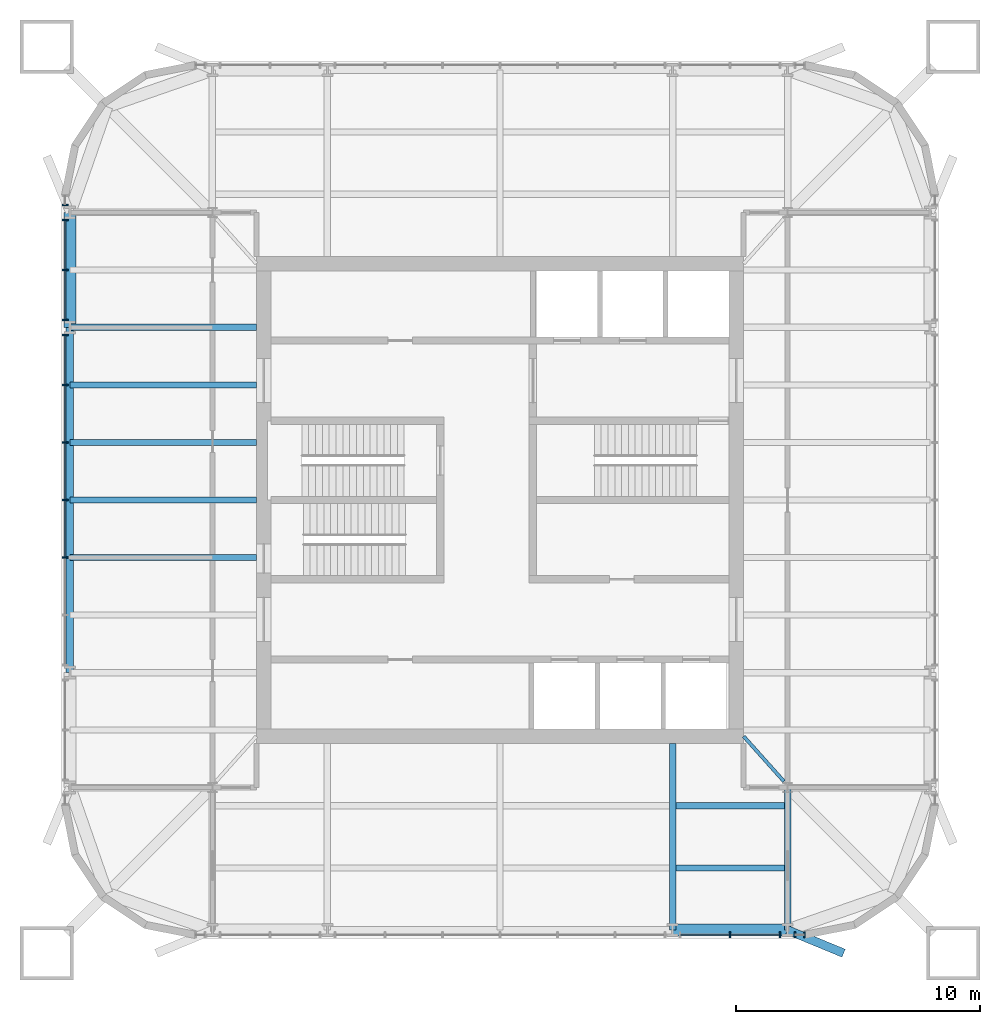
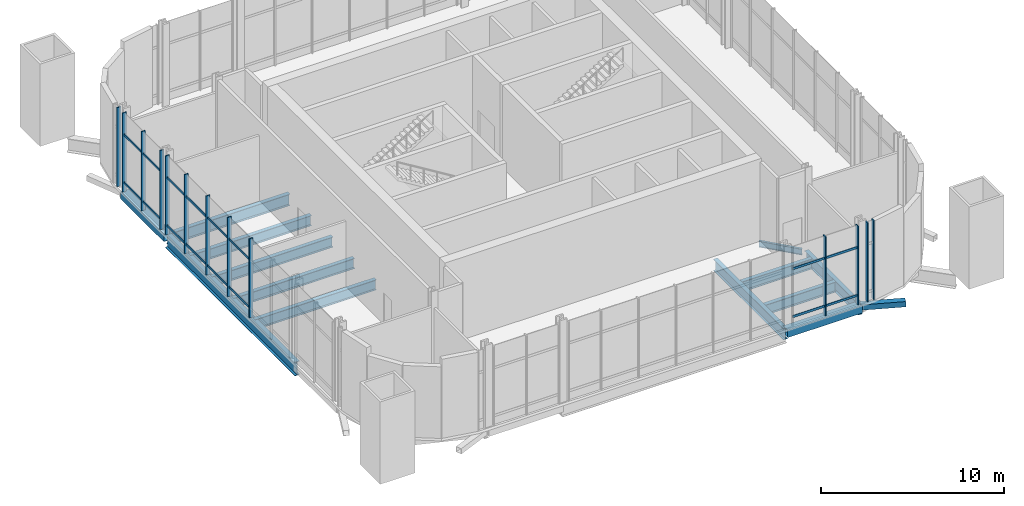
# One storey, part 3 of 17: 29 members, 14 beams, 5 elements without a shape of their own.
"""IFC4 building model written with IfcOpenShell, lengths in metres."""

from ifc_helpers import new_model, si_unit, direction, frame, origin, origin_2d, place, context, subcontext, project, spatial, rectangle, hollow_rectangle, i_section, extrude, material, material_profile, profile_set, type_object, element, aggregate, save


model = new_model("IFC4")

# Units and contexts
model_context = context("Model", 3, precision=1e-05, world=origin(), true_north=direction((0.0, 1.0)))
body_context = subcontext(model_context, "Body", "Model", "MODEL_VIEW")
ifc_project = project(units=[si_unit("LENGTHUNIT", "METRE"), si_unit("AREAUNIT", "SQUARE_METRE"), si_unit("VOLUMEUNIT", "CUBIC_METRE"), si_unit("PLANEANGLEUNIT", "RADIAN"), si_unit("MASSUNIT", "GRAM", prefix="KILO")], contexts=[model_context])

# Site, building, storey
site_placement = place(None, origin())
site = spatial("IfcSite", under=ifc_project, at=site_placement, CompositionType="ELEMENT")
building_placement = place(site_placement, origin())
building = spatial("IfcBuilding", under=site, at=building_placement, Name="Turquesa Mirador Hotel Tower", CompositionType="ELEMENT")
storey_placement = place(building_placement, frame((0.0, 0.0, 266.699951171875)))
storey = spatial("IfcBuildingStorey", under=building, at=storey_placement, Name="L72", CompositionType="ELEMENT", Elevation=266.699951171875)

# Beams
ifc_material_1 = material(Name="Steel ASTM A572 Grade 50", Category="steel")
ifc_material_profile_1 = material_profile(ifc_material_1, hollow_rectangle(XDim=0.5, YDim=0.5, WallThickness=0.01611328125, at=origin_2d()), Name="BOX500X500X16")
ifc_profile_set_1 = profile_set([ifc_material_profile_1], Name="Steel ASTM A572 Grade 50")
beam_type_1 = type_object("IfcBeamType", Name="BEAM BOX500X500X16", PredefinedType="BEAM", material=ifc_profile_set_1)
for number, where, z_axis, x_axis, name in (
    (1, (62.080078125, 27.35009765625, -0.419921875), (1.0, 0.0, 0.0), (0.0, 1.0, 0.0), "EB-L72-S-R"),
    (2, (37.35009765625, 52.080078125, -0.419921875), (0.0, 1.0, 0.0), (-1.0, 0.0, 0.0), "EB-L72-W-R"),
):
    element("IfcBeam", number, at=place(storey_placement, frame(where, z_axis=z_axis, x_axis=x_axis)), inside=storey, type_object=beam_type_1, Name=name, PredefinedType="BEAM", context=body_context, shape_type="SweptSolid", body=[
        extrude(hollow_rectangle(XDim=0.5, YDim=0.5, WallThickness=0.01611328125, at=origin_2d()), origin(), (0.0, 0.0, 1.0), 4.719970703125),
    ])
ifc_material_2 = material(Name="Steel ASTM A992 Grade 50", Category="steel")
ifc_material_profile_2 = material_profile(ifc_material_2, i_section(OverallWidth=0.140380859375, OverallDepth=0.40380859375, WebThickness=0.007080078125, FlangeThickness=0.01123046875, at=origin_2d()), Name="W16X31")
ifc_profile_set_2 = profile_set([ifc_material_profile_2], Name="Steel ASTM A992 Grade 50")
beam_type_2 = type_object("IfcBeamType", Name="BEAM W16X31", PredefinedType="BEAM", material=ifc_profile_set_2)
beam_1_placement = place(storey_placement, frame((66.656494140625, 33.44873046875, -0.371826171875), z_axis=(-0.666806350186, 0.745231032198, 0.0), x_axis=(-0.745231032198, -0.666806350186, 0.0)))
element("IfcBeam", 3, at=beam_1_placement, inside=storey, type_object=beam_type_2, Name="KT-L72-4", PredefinedType="BEAM", context=body_context, shape_type="SweptSolid", body=[
    extrude(i_section(OverallWidth=0.140380859375, OverallDepth=0.40380859375, WebThickness=0.007080078125, FlangeThickness=0.01123046875, at=origin_2d()), origin(), (0.0, 0.0, 1.0), 2.484130859375),
])
ifc_material_3 = material(Name="Steel ASTM A992 Grade 50", Category="steel")
ifc_material_profile_3 = material_profile(ifc_material_3, i_section(OverallWidth=0.25390625, OverallDepth=0.683349609375, WebThickness=0.012451171875, FlangeThickness=0.018798828125, at=origin_2d()), Name="W27X94")
ifc_profile_set_3 = profile_set([ifc_material_profile_3], Name="Steel ASTM A992 Grade 50")
beam_type_3 = type_object("IfcBeamType", Name="BEAM W27X94", PredefinedType="BEAM", material=ifc_profile_set_3)
for number, where, z_axis, x_axis, name in (
    (4, (62.21337890625, 32.449951171875, -0.511474609375), (1.0, 0.0, 0.0), (0.0, 1.0, 0.0), "IB-L72-S-1-3"),
    (5, (62.21337890625, 29.89990234375, -0.511474609375), (1.0, 0.0, 0.0), (0.0, 1.0, 0.0), "IB-L72-S-2-3"),
):
    element("IfcBeam", number, at=place(storey_placement, frame(where, z_axis=z_axis, x_axis=x_axis)), inside=storey, type_object=beam_type_3, Name=name, PredefinedType="BEAM", context=body_context, shape_type="SweptSolid", body=[
        extrude(i_section(OverallWidth=0.25390625, OverallDepth=0.683349609375, WebThickness=0.012451171875, FlangeThickness=0.018798828125, at=origin_2d()), origin(), (0.0, 0.0, 1.0), 4.453369140625),
    ])
for number, where, z_axis, x_axis, name in (
    (6, (37.35009765625, 42.639892578125, -0.511474609375), (1.0, 0.0, 0.0), (0.0, 1.0, 0.0), "BM-L72-W--2.36"),
    (7, (37.35009765625, 45.0, -0.511474609375), (1.0, 0.0, 0.0), (0.0, 1.0, 0.0), "BM-L72-W-+0.00"),
    (8, (37.35009765625, 47.360107421875, -0.511474609375), (1.0, 0.0, 0.0), (0.0, 1.0, 0.0), "BM-L72-W-+2.36"),
    (9, (37.35009765625, 49.719970703125, -0.511474609375), (1.0, 0.0, 0.0), (0.0, 1.0, 0.0), "BM-L72-W-+4.72"),
):
    element("IfcBeam", number, at=place(storey_placement, frame(where, z_axis=z_axis, x_axis=x_axis)), inside=storey, type_object=beam_type_3, Name=name, PredefinedType="BEAM", context=body_context, shape_type="SweptSolid", body=[
        extrude(i_section(OverallWidth=0.25390625, OverallDepth=0.683349609375, WebThickness=0.012451171875, FlangeThickness=0.018798828125, at=origin_2d()), origin(), (0.0, 0.0, 1.0), 7.64990234375),
    ])
ifc_material_4 = material(Name="Steel ASTM A992 Grade 50", Category="steel")
ifc_material_profile_4 = material_profile(ifc_material_4, i_section(OverallWidth=0.2666015625, OverallDepth=0.761962890625, WebThickness=0.014404296875, FlangeThickness=0.021484375, at=origin_2d()), Name="W30X116")
ifc_profile_set_4 = profile_set([ifc_material_profile_4], Name="Steel ASTM A992 Grade 50")
beam_type_4 = type_object("IfcBeamType", Name="BEAM W30X116", PredefinedType="BEAM", material=ifc_profile_set_4)
beam_2_placement = place(storey_placement, frame((62.080078125, 27.35009765625, -0.551025390625), z_axis=(0.0, 1.0, 0.0), x_axis=(-1.0, 0.0, 0.0)))
element("IfcBeam", 10, at=beam_2_placement, inside=storey, type_object=beam_type_4, Name="GD-L72-S-+7.08", PredefinedType="BEAM", context=body_context, shape_type="SweptSolid", body=[
    extrude(i_section(OverallWidth=0.2666015625, OverallDepth=0.761962890625, WebThickness=0.014404296875, FlangeThickness=0.021484375, at=origin_2d()), origin(), (0.0, 0.0, 1.0), 7.64990234375),
])
beam_3_placement = place(storey_placement, frame((66.800048828125, 27.35009765625, -0.551025390625), z_axis=(0.0, 1.0, 0.0), x_axis=(-1.0, 0.0, 0.0)))
element("IfcBeam", 11, at=beam_3_placement, inside=storey, type_object=beam_type_4, Name="GK-L72-S-+11.80", PredefinedType="BEAM", context=body_context, shape_type="SweptSolid", body=[
    extrude(i_section(OverallWidth=0.2666015625, OverallDepth=0.761962890625, WebThickness=0.014404296875, FlangeThickness=0.021484375, at=origin_2d()), origin(), (0.0, 0.0, 1.0), 5.849853515625),
])
beam_4_placement = place(storey_placement, frame((37.35009765625, 52.080078125, -0.551025390625), z_axis=(1.0, 0.0, 0.0), x_axis=(0.0, 1.0, 0.0)))
element("IfcBeam", 12, at=beam_4_placement, inside=storey, type_object=beam_type_4, Name="GD-L72-W-+7.08", PredefinedType="BEAM", context=body_context, shape_type="SweptSolid", body=[
    extrude(i_section(OverallWidth=0.2666015625, OverallDepth=0.761962890625, WebThickness=0.014404296875, FlangeThickness=0.021484375, at=origin_2d()), origin(), (0.0, 0.0, 1.0), 7.64990234375),
])
ifc_material_5 = material(Name="Steel ASTM A992 Grade 50", Category="steel")
ifc_material_profile_5 = material_profile(ifc_material_5, i_section(OverallWidth=0.3046875, OverallDepth=0.911865234375, WebThickness=0.015869140625, FlangeThickness=0.02392578125, at=origin_2d()), Name="W36X150")
ifc_profile_set_5 = profile_set([ifc_material_profile_5], Name="Steel ASTM A992 Grade 50")
beam_type_5 = type_object("IfcBeamType", Name="BEAM W36X150", PredefinedType="BEAM", material=ifc_profile_set_5)
beam_5_placement = place(storey_placement, frame((37.35009765625, 37.919921875, -0.6259765625), z_axis=(0.0, 1.0, 0.0), x_axis=(-1.0, 0.0, 0.0)))
element("IfcBeam", 13, at=beam_5_placement, inside=storey, type_object=beam_type_5, Name="EB-L72-W-C", PredefinedType="BEAM", context=body_context, shape_type="SweptSolid", body=[
    extrude(i_section(OverallWidth=0.3046875, OverallDepth=0.911865234375, WebThickness=0.015869140625, FlangeThickness=0.02392578125, at=origin_2d()), origin(), (0.0, 0.0, 1.0), 14.16015625),
])
ifc_material_6 = material(Name="Steel ASTM A500 Grade C", Category="steel")
ifc_material_profile_6 = material_profile(ifc_material_6, hollow_rectangle(XDim=0.355712890625, YDim=0.355712890625, WallThickness=0.0146484375, at=origin_2d()), Name="HSS14X14X5/8")
ifc_profile_set_6 = profile_set([ifc_material_profile_6], Name="Steel ASTM A500 Grade C")
beam_type_6 = type_object("IfcBeamType", Name="BRACE STRUT HSS14X14X5/8", PredefinedType="BEAM", material=ifc_profile_set_6)
beam_6_placement = place(storey_placement, frame((69.103271484375, 26.39990234375, -0.34765625), z_axis=(-0.924422192524, 0.381370698887, 0.0), x_axis=(-0.381370698887, -0.924422192524, 0.0)))
element("IfcBeam", 14, at=beam_6_placement, inside=storey, type_object=beam_type_6, Name="Brace strut", PredefinedType="BEAM", context=body_context, shape_type="SweptSolid", body=[
    extrude(hollow_rectangle(XDim=0.355712890625, YDim=0.355712890625, WallThickness=0.0146484375, at=origin_2d()), origin(), (0.0, 0.0, 1.0), 2.491455078125),
])

# Curtain wall, member
ifc_material_7 = material(Name="Aluminium extrusion", Category="aluminium")
curtain_wall_type = type_object("IfcCurtainWallType", Name="CW-6 OBSERVATION CURTAIN WALL", PredefinedType="USERDEFINED", material=ifc_material_7)
curtain_wall_1_placement = place(storey_placement, origin())
curtain_wall_1 = element("IfcCurtainWall", 15, at=curtain_wall_1_placement, inside=storey, type_object=curtain_wall_type, Name="CW-6 OBSERVATION CURTAIN WALL L72", ObjectType="CURTAIN WALL", PredefinedType="USERDEFINED")
ifc_material_8 = material(Name="Aluminium extrusion", Category="aluminium")
ifc_material_profile_7 = material_profile(ifc_material_8, rectangle(XDim=0.06494140625, YDim=0.25, at=origin_2d()), Name="MULLION 65X250")
ifc_profile_set_7 = profile_set([ifc_material_profile_7], Name="Aluminium extrusion")
member_type_1 = type_object("IfcMemberType", Name="CW MULLION 65X250", PredefinedType="MULLION", material=ifc_profile_set_7)
member_1_placement = place(storey_placement, frame((37.14990234375, 57.099853515625, 0.0), z_axis=(0.0, 0.0, 1.0), x_axis=(0.0, -1.0, 0.0)))
member_1 = element("IfcMember", 16, at=member_1_placement, type_object=member_type_1, Name="Mullion", PredefinedType="MULLION", context=body_context, shape_type="SweptSolid", body=[
    extrude(rectangle(XDim=0.06494140625, YDim=0.25, at=origin_2d()), origin(), (0.0, 0.0, 1.0), 5.280029296875),
])
aggregate(curtain_wall_1, [member_1])

# Curtain wall, members
curtain_wall_2_placement = place(storey_placement, origin())
curtain_wall_2 = element("IfcCurtainWall", 17, at=curtain_wall_2_placement, inside=storey, type_object=curtain_wall_type, Name="CW-6 OBSERVATION CURTAIN WALL L72", ObjectType="CURTAIN WALL", PredefinedType="USERDEFINED")
member_2_placement = place(storey_placement, frame((37.14990234375, 56.5, 0.0), z_axis=(0.0, 0.0, 1.0), x_axis=(0.0, -1.0, 0.0)))
member_2 = element("IfcMember", 18, at=member_2_placement, type_object=member_type_1, Name="Mullion", PredefinedType="MULLION", context=body_context, shape_type="SweptSolid", body=[
    extrude(rectangle(XDim=0.06494140625, YDim=0.25, at=origin_2d()), origin(), (0.0, 0.0, 1.0), 5.280029296875),
])
member_3_placement = place(storey_placement, frame((37.14990234375, 54.43994140625, 0.0), z_axis=(0.0, 0.0, 1.0), x_axis=(0.0, -1.0, 0.0)))
member_3 = element("IfcMember", 19, at=member_3_placement, type_object=member_type_1, Name="Mullion", PredefinedType="MULLION", context=body_context, shape_type="SweptSolid", body=[
    extrude(rectangle(XDim=0.06494140625, YDim=0.25, at=origin_2d()), origin(), (0.0, 0.0, 1.0), 5.280029296875),
])
member_4_placement = place(storey_placement, frame((37.14990234375, 52.3798828125, 0.0), z_axis=(0.0, 0.0, 1.0), x_axis=(0.0, -1.0, 0.0)))
member_4 = element("IfcMember", 20, at=member_4_placement, type_object=member_type_1, Name="Mullion", PredefinedType="MULLION", context=body_context, shape_type="SweptSolid", body=[
    extrude(rectangle(XDim=0.06494140625, YDim=0.25, at=origin_2d()), origin(), (0.0, 0.0, 1.0), 5.280029296875),
])

curtain_wall_3_placement = place(storey_placement, origin())
curtain_wall_3 = element("IfcCurtainWall", 21, at=curtain_wall_3_placement, inside=storey, type_object=curtain_wall_type, Name="CW-6 OBSERVATION CURTAIN WALL L72", ObjectType="CURTAIN WALL", PredefinedType="USERDEFINED")
member_5_placement = place(storey_placement, frame((37.14990234375, 51.780029296875, 0.0), z_axis=(0.0, 0.0, 1.0), x_axis=(0.0, -1.0, 0.0)))
member_5 = element("IfcMember", 22, at=member_5_placement, type_object=member_type_1, Name="Mullion", PredefinedType="MULLION", context=body_context, shape_type="SweptSolid", body=[
    extrude(rectangle(XDim=0.06494140625, YDim=0.25, at=origin_2d()), origin(), (0.0, 0.0, 1.0), 5.280029296875),
])
member_6_placement = place(storey_placement, frame((37.14990234375, 49.719970703125, 0.0), z_axis=(0.0, 0.0, 1.0), x_axis=(0.0, -1.0, 0.0)))
member_6 = element("IfcMember", 23, at=member_6_placement, type_object=member_type_1, Name="Mullion", PredefinedType="MULLION", context=body_context, shape_type="SweptSolid", body=[
    extrude(rectangle(XDim=0.06494140625, YDim=0.25, at=origin_2d()), origin(), (0.0, 0.0, 1.0), 5.280029296875),
])
member_7_placement = place(storey_placement, frame((37.14990234375, 47.360107421875, 0.0), z_axis=(0.0, 0.0, 1.0), x_axis=(0.0, -1.0, 0.0)))
member_7 = element("IfcMember", 24, at=member_7_placement, type_object=member_type_1, Name="Mullion", PredefinedType="MULLION", context=body_context, shape_type="SweptSolid", body=[
    extrude(rectangle(XDim=0.06494140625, YDim=0.25, at=origin_2d()), origin(), (0.0, 0.0, 1.0), 5.280029296875),
])
member_8_placement = place(storey_placement, frame((37.14990234375, 45.0, 0.0), z_axis=(0.0, 0.0, 1.0), x_axis=(0.0, -1.0, 0.0)))
member_8 = element("IfcMember", 25, at=member_8_placement, type_object=member_type_1, Name="Mullion", PredefinedType="MULLION", context=body_context, shape_type="SweptSolid", body=[
    extrude(rectangle(XDim=0.06494140625, YDim=0.25, at=origin_2d()), origin(), (0.0, 0.0, 1.0), 5.280029296875),
])
member_9_placement = place(storey_placement, frame((37.14990234375, 42.639892578125, 0.0), z_axis=(0.0, 0.0, 1.0), x_axis=(0.0, -1.0, 0.0)))
member_9 = element("IfcMember", 26, at=member_9_placement, type_object=member_type_1, Name="Mullion", PredefinedType="MULLION", context=body_context, shape_type="SweptSolid", body=[
    extrude(rectangle(XDim=0.06494140625, YDim=0.25, at=origin_2d()), origin(), (0.0, 0.0, 1.0), 5.280029296875),
])

curtain_wall_4_placement = place(storey_placement, origin())
curtain_wall_4 = element("IfcCurtainWall", 27, at=curtain_wall_4_placement, inside=storey, type_object=curtain_wall_type, Name="CW-6 OBSERVATION CURTAIN WALL L72", ObjectType="CURTAIN WALL", PredefinedType="USERDEFINED")
member_10_placement = place(storey_placement, frame((64.43994140625, 27.14990234375, 0.0), z_axis=(0.0, 0.0, 1.0), x_axis=(1.0, 0.0, 0.0)))
member_10 = element("IfcMember", 28, at=member_10_placement, type_object=member_type_1, Name="Mullion", PredefinedType="MULLION", context=body_context, shape_type="SweptSolid", body=[
    extrude(rectangle(XDim=0.06494140625, YDim=0.25, at=origin_2d()), origin(), (0.0, 0.0, 1.0), 5.280029296875),
])
member_11_placement = place(storey_placement, frame((66.5, 27.14990234375, 0.0), z_axis=(0.0, 0.0, 1.0), x_axis=(1.0, 0.0, 0.0)))
member_11 = element("IfcMember", 29, at=member_11_placement, type_object=member_type_1, Name="Mullion", PredefinedType="MULLION", context=body_context, shape_type="SweptSolid", body=[
    extrude(rectangle(XDim=0.06494140625, YDim=0.25, at=origin_2d()), origin(), (0.0, 0.0, 1.0), 5.280029296875),
])

curtain_wall_5_placement = place(storey_placement, origin())
curtain_wall_5 = element("IfcCurtainWall", 30, at=curtain_wall_5_placement, inside=storey, type_object=curtain_wall_type, Name="CW-6 OBSERVATION CURTAIN WALL L72", ObjectType="CURTAIN WALL", PredefinedType="USERDEFINED")
member_12_placement = place(storey_placement, frame((67.099853515625, 27.14990234375, 0.0), z_axis=(0.0, 0.0, 1.0), x_axis=(1.0, 0.0, 0.0)))
member_12 = element("IfcMember", 31, at=member_12_placement, type_object=member_type_1, Name="Mullion", PredefinedType="MULLION", context=body_context, shape_type="SweptSolid", body=[
    extrude(rectangle(XDim=0.06494140625, YDim=0.25, at=origin_2d()), origin(), (0.0, 0.0, 1.0), 5.280029296875),
])
member_13_placement = place(storey_placement, frame((67.5, 27.14990234375, 0.0), z_axis=(0.0, 0.0, 1.0), x_axis=(1.0, 0.0, 0.0)))
member_13 = element("IfcMember", 32, at=member_13_placement, type_object=member_type_1, Name="Mullion", PredefinedType="MULLION", context=body_context, shape_type="SweptSolid", body=[
    extrude(rectangle(XDim=0.06494140625, YDim=0.25, at=origin_2d()), origin(), (0.0, 0.0, 1.0), 5.280029296875),
])
aggregate(curtain_wall_5, [member_12, member_13])

# Member
ifc_material_9 = material(Name="Aluminium extrusion", Category="aluminium")
ifc_material_profile_8 = material_profile(ifc_material_9, rectangle(XDim=0.06494140625, YDim=0.14990234375, at=origin_2d()), Name="TRANSOM 65X150")
ifc_profile_set_8 = profile_set([ifc_material_profile_8], Name="Aluminium extrusion")
member_type_2 = type_object("IfcMemberType", Name="CW TRANSOM 65X150", PredefinedType="USERDEFINED", material=ifc_profile_set_8)
member_14_placement = place(storey_placement, frame((37.14990234375, 56.467529296875, 0.60009765625), z_axis=(0.0, -1.0, 0.0), x_axis=(1.0, 0.0, 0.0)))
member_14 = element("IfcMember", 33, at=member_14_placement, type_object=member_type_2, Name="Transom", ObjectType="TRANSOM", PredefinedType="USERDEFINED", context=body_context, shape_type="SweptSolid", body=[
    extrude(rectangle(XDim=0.06494140625, YDim=0.14990234375, at=origin_2d()), origin(), (0.0, 0.0, 1.0), 1.9951171875),
])

member_15_placement = place(storey_placement, frame((37.14990234375, 56.467529296875, 3.800048828125), z_axis=(0.0, -1.0, 0.0), x_axis=(1.0, 0.0, 0.0)))
member_15 = element("IfcMember", 34, at=member_15_placement, type_object=member_type_2, Name="Transom", ObjectType="TRANSOM", PredefinedType="USERDEFINED", context=body_context, shape_type="SweptSolid", body=[
    extrude(rectangle(XDim=0.06494140625, YDim=0.14990234375, at=origin_2d()), origin(), (0.0, 0.0, 1.0), 1.9951171875),
])

member_16_placement = place(storey_placement, frame((37.14990234375, 54.407470703125, 0.60009765625), z_axis=(0.0, -1.0, 0.0), x_axis=(1.0, 0.0, 0.0)))
member_16 = element("IfcMember", 35, at=member_16_placement, type_object=member_type_2, Name="Transom", ObjectType="TRANSOM", PredefinedType="USERDEFINED", context=body_context, shape_type="SweptSolid", body=[
    extrude(rectangle(XDim=0.06494140625, YDim=0.14990234375, at=origin_2d()), origin(), (0.0, 0.0, 1.0), 1.9951171875),
])

member_17_placement = place(storey_placement, frame((37.14990234375, 54.407470703125, 3.800048828125), z_axis=(0.0, -1.0, 0.0), x_axis=(1.0, 0.0, 0.0)))
member_17 = element("IfcMember", 36, at=member_17_placement, type_object=member_type_2, Name="Transom", ObjectType="TRANSOM", PredefinedType="USERDEFINED", context=body_context, shape_type="SweptSolid", body=[
    extrude(rectangle(XDim=0.06494140625, YDim=0.14990234375, at=origin_2d()), origin(), (0.0, 0.0, 1.0), 1.9951171875),
])

aggregate(curtain_wall_2, [member_2, member_3, member_4, member_14, member_15, member_16, member_17])

member_18_placement = place(storey_placement, frame((37.14990234375, 51.74755859375, 0.60009765625), z_axis=(0.0, -1.0, 0.0), x_axis=(1.0, 0.0, 0.0)))
member_18 = element("IfcMember", 37, at=member_18_placement, type_object=member_type_2, Name="Transom", ObjectType="TRANSOM", PredefinedType="USERDEFINED", context=body_context, shape_type="SweptSolid", body=[
    extrude(rectangle(XDim=0.06494140625, YDim=0.14990234375, at=origin_2d()), origin(), (0.0, 0.0, 1.0), 1.9951171875),
])

member_19_placement = place(storey_placement, frame((37.14990234375, 51.74755859375, 3.800048828125), z_axis=(0.0, -1.0, 0.0), x_axis=(1.0, 0.0, 0.0)))
member_19 = element("IfcMember", 38, at=member_19_placement, type_object=member_type_2, Name="Transom", ObjectType="TRANSOM", PredefinedType="USERDEFINED", context=body_context, shape_type="SweptSolid", body=[
    extrude(rectangle(XDim=0.06494140625, YDim=0.14990234375, at=origin_2d()), origin(), (0.0, 0.0, 1.0), 1.9951171875),
])

member_20_placement = place(storey_placement, frame((37.14990234375, 49.6875, 0.60009765625), z_axis=(0.0, -1.0, 0.0), x_axis=(1.0, 0.0, 0.0)))
member_20 = element("IfcMember", 39, at=member_20_placement, type_object=member_type_2, Name="Transom", ObjectType="TRANSOM", PredefinedType="USERDEFINED", context=body_context, shape_type="SweptSolid", body=[
    extrude(rectangle(XDim=0.06494140625, YDim=0.14990234375, at=origin_2d()), origin(), (0.0, 0.0, 1.0), 2.294921875),
])

member_21_placement = place(storey_placement, frame((37.14990234375, 49.6875, 3.800048828125), z_axis=(0.0, -1.0, 0.0), x_axis=(1.0, 0.0, 0.0)))
member_21 = element("IfcMember", 40, at=member_21_placement, type_object=member_type_2, Name="Transom", ObjectType="TRANSOM", PredefinedType="USERDEFINED", context=body_context, shape_type="SweptSolid", body=[
    extrude(rectangle(XDim=0.06494140625, YDim=0.14990234375, at=origin_2d()), origin(), (0.0, 0.0, 1.0), 2.294921875),
])

member_22_placement = place(storey_placement, frame((37.14990234375, 47.327392578125, 0.60009765625), z_axis=(0.0, -1.0, 0.0), x_axis=(1.0, 0.0, 0.0)))
member_22 = element("IfcMember", 41, at=member_22_placement, type_object=member_type_2, Name="Transom", ObjectType="TRANSOM", PredefinedType="USERDEFINED", context=body_context, shape_type="SweptSolid", body=[
    extrude(rectangle(XDim=0.06494140625, YDim=0.14990234375, at=origin_2d()), origin(), (0.0, 0.0, 1.0), 2.294921875),
])

member_23_placement = place(storey_placement, frame((37.14990234375, 47.327392578125, 3.800048828125), z_axis=(0.0, -1.0, 0.0), x_axis=(1.0, 0.0, 0.0)))
member_23 = element("IfcMember", 42, at=member_23_placement, type_object=member_type_2, Name="Transom", ObjectType="TRANSOM", PredefinedType="USERDEFINED", context=body_context, shape_type="SweptSolid", body=[
    extrude(rectangle(XDim=0.06494140625, YDim=0.14990234375, at=origin_2d()), origin(), (0.0, 0.0, 1.0), 2.294921875),
])

member_24_placement = place(storey_placement, frame((37.14990234375, 44.967529296875, 0.60009765625), z_axis=(0.0, -1.0, 0.0), x_axis=(1.0, 0.0, 0.0)))
member_24 = element("IfcMember", 43, at=member_24_placement, type_object=member_type_2, Name="Transom", ObjectType="TRANSOM", PredefinedType="USERDEFINED", context=body_context, shape_type="SweptSolid", body=[
    extrude(rectangle(XDim=0.06494140625, YDim=0.14990234375, at=origin_2d()), origin(), (0.0, 0.0, 1.0), 2.294921875),
])

member_25_placement = place(storey_placement, frame((37.14990234375, 44.967529296875, 3.800048828125), z_axis=(0.0, -1.0, 0.0), x_axis=(1.0, 0.0, 0.0)))
member_25 = element("IfcMember", 44, at=member_25_placement, type_object=member_type_2, Name="Transom", ObjectType="TRANSOM", PredefinedType="USERDEFINED", context=body_context, shape_type="SweptSolid", body=[
    extrude(rectangle(XDim=0.06494140625, YDim=0.14990234375, at=origin_2d()), origin(), (0.0, 0.0, 1.0), 2.294921875),
])

aggregate(curtain_wall_3, [member_5, member_6, member_7, member_8, member_9, member_18, member_19, member_20, member_21, member_22, member_23, member_24, member_25])

member_26_placement = place(storey_placement, frame((62.412353515625, 27.14990234375, 0.60009765625), z_axis=(1.0, 0.0, 0.0), x_axis=(0.0, 1.0, 0.0)))
member_26 = element("IfcMember", 45, at=member_26_placement, type_object=member_type_2, Name="Transom", ObjectType="TRANSOM", PredefinedType="USERDEFINED", context=body_context, shape_type="SweptSolid", body=[
    extrude(rectangle(XDim=0.06494140625, YDim=0.14990234375, at=origin_2d()), origin(), (0.0, 0.0, 1.0), 1.9951171875),
])

member_27_placement = place(storey_placement, frame((62.412353515625, 27.14990234375, 3.800048828125), z_axis=(1.0, 0.0, 0.0), x_axis=(0.0, 1.0, 0.0)))
member_27 = element("IfcMember", 46, at=member_27_placement, type_object=member_type_2, Name="Transom", ObjectType="TRANSOM", PredefinedType="USERDEFINED", context=body_context, shape_type="SweptSolid", body=[
    extrude(rectangle(XDim=0.06494140625, YDim=0.14990234375, at=origin_2d()), origin(), (0.0, 0.0, 1.0), 1.9951171875),
])

member_28_placement = place(storey_placement, frame((64.472412109375, 27.14990234375, 0.60009765625), z_axis=(1.0, 0.0, 0.0), x_axis=(0.0, 1.0, 0.0)))
member_28 = element("IfcMember", 47, at=member_28_placement, type_object=member_type_2, Name="Transom", ObjectType="TRANSOM", PredefinedType="USERDEFINED", context=body_context, shape_type="SweptSolid", body=[
    extrude(rectangle(XDim=0.06494140625, YDim=0.14990234375, at=origin_2d()), origin(), (0.0, 0.0, 1.0), 1.9951171875),
])

member_29_placement = place(storey_placement, frame((64.472412109375, 27.14990234375, 3.800048828125), z_axis=(1.0, 0.0, 0.0), x_axis=(0.0, 1.0, 0.0)))
member_29 = element("IfcMember", 48, at=member_29_placement, type_object=member_type_2, Name="Transom", ObjectType="TRANSOM", PredefinedType="USERDEFINED", context=body_context, shape_type="SweptSolid", body=[
    extrude(rectangle(XDim=0.06494140625, YDim=0.14990234375, at=origin_2d()), origin(), (0.0, 0.0, 1.0), 1.9951171875),
])

aggregate(curtain_wall_4, [member_10, member_11, member_26, member_27, member_28, member_29])

save(model, "model.ifc")
